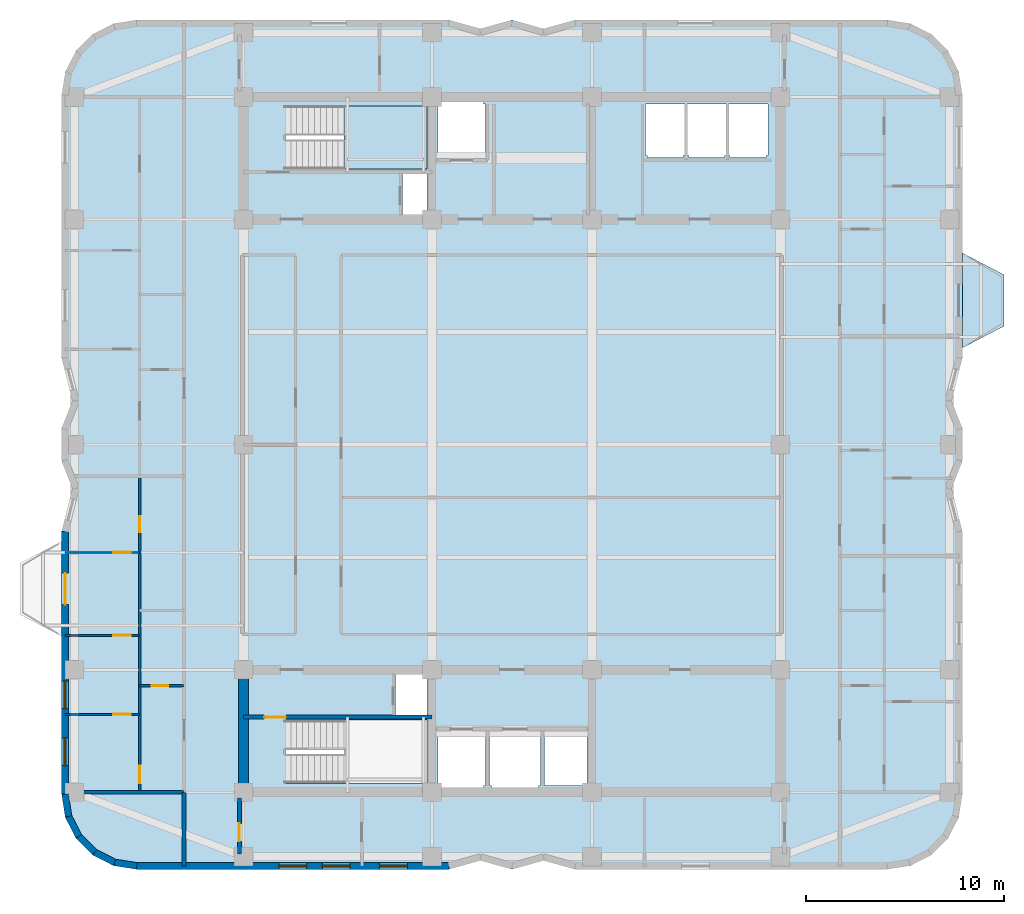
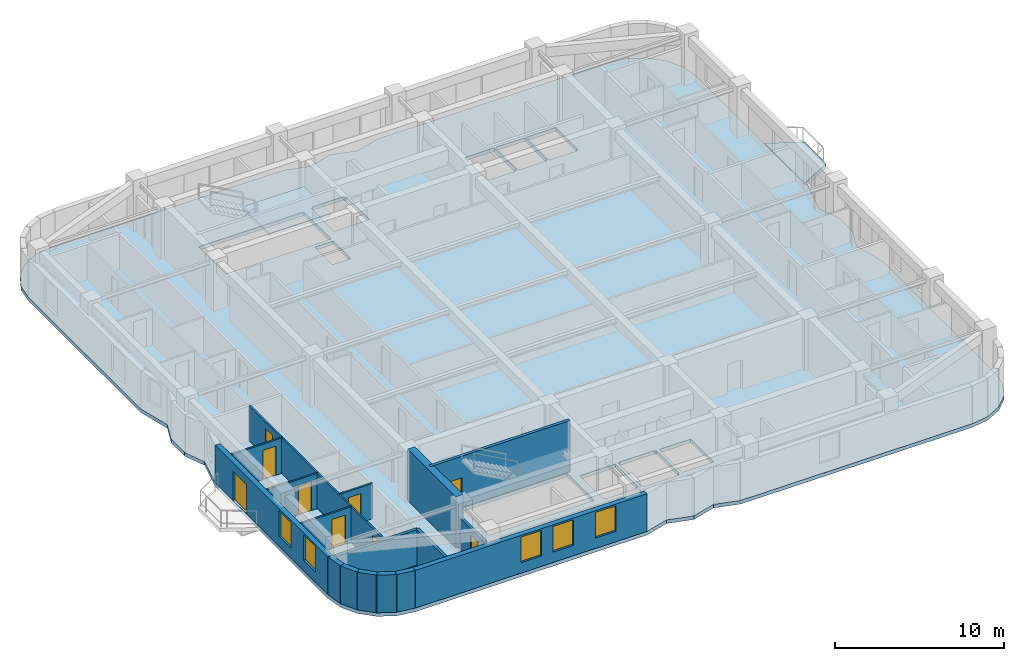
# One storey, part 2 of 8: 17 walls, 9 doors, 5 windows, 3 slabs, 14 openings, 1 element without a shape of its own.
"""IFC4 building model written with IfcOpenShell, lengths in metres."""

from ifc_helpers import new_model, si_unit, direction, frame, frame_2d, origin, place, context, subcontext, project, spatial, polyline, rectangle, outline, extrude, material, layer, layer_set, type_object, element, fill, aggregate, save


model = new_model("IFC4")

# Units and contexts
model_context = context("Model", 3, precision=1e-05, world=origin(), true_north=direction((0.0, 1.0)))
body_context = subcontext(model_context, "Body", "Model", "MODEL_VIEW")
ifc_project = project(units=[si_unit("LENGTHUNIT", "METRE"), si_unit("AREAUNIT", "SQUARE_METRE"), si_unit("VOLUMEUNIT", "CUBIC_METRE"), si_unit("PLANEANGLEUNIT", "RADIAN"), si_unit("MASSUNIT", "GRAM", prefix="KILO")], contexts=[model_context])

# Site, building, storey
site_placement = place(None, origin())
site = spatial("IfcSite", under=ifc_project, at=site_placement, CompositionType="ELEMENT")
building_placement = place(site_placement, origin())
building = spatial("IfcBuilding", under=site, at=building_placement, Name="Svetorya Sky Lyceum", CompositionType="ELEMENT")
storey_placement = place(building_placement, frame((0.0, 0.0, 151.5)))
storey = spatial("IfcBuildingStorey", under=building, at=storey_placement, Name="L37", CompositionType="ELEMENT", Elevation=151.5)

# Slab
ifc_material_1 = material(Name="Concrete C40/50", Category="concrete")
ifc_layer_1 = layer(ifc_material_1, 0.260009765625)
ifc_layer_set_1 = layer_set([ifc_layer_1], Name="Concrete C40/50")
slab_type_1 = type_object("IfcSlabType", Name="SL-BAL-260", PredefinedType="FLOOR", material=ifc_layer_set_1)
slab_1_placement = place(storey_placement, frame((0.0, 0.0, -0.260009765625)))
element("IfcSlab", 1, at=slab_1_placement, inside=storey, type_object=slab_type_1, Name="L37 Chamfered Loggia Balcony BAL-E1", PredefinedType="FLOOR", context=body_context, shape_type="SweptSolid", body=[
    extrude(outline(polyline([(62.010009765625, 33.10009765625), (64.110107421875, 34.199951171875), (64.110107421875, 36.800048828125), (62.010009765625, 37.89990234375), (62.010009765625, 33.10009765625)])), origin(), (0.0, 0.0, 1.0), 0.260009765625),
])

# Stair, slab
stair_type = type_object("IfcStairType", Name="STR-ST-N", PredefinedType="HALF_TURN_STAIR", material=ifc_material_1)
stair_placement = place(storey_placement, origin())
stair = element("IfcStair", 2, at=stair_placement, inside=storey, type_object=stair_type, Name="L37 North Core Smoke-Free Exit Stair N3", PredefinedType="HALF_TURN_STAIR")
ifc_layer_2 = layer(ifc_material_1, 0.199951171875)
ifc_layer_set_2 = layer_set([ifc_layer_2], Name="Concrete C40/50")
slab_type_2 = type_object("IfcSlabType", Name="SL-STR-LAND-200", PredefinedType="LANDING", material=ifc_layer_set_2)
slab_2_placement = place(storey_placement, frame((0.0, 0.0, 1.64990234375)))
slab_2 = element("IfcSlab", 3, at=slab_2_placement, type_object=slab_type_2, Name="ST-N landing 1", PredefinedType="LANDING", context=body_context, shape_type="SweptSolid", body=[
    extrude(outline(polyline([(30.699951171875, 42.14990234375), (34.89990234375, 42.14990234375), (34.89990234375, 45.35009765625), (30.699951171875, 45.35009765625), (30.699951171875, 42.14990234375)])), origin(), (0.0, 0.0, 1.0), 0.2001953125),
])
aggregate(stair, [slab_2])

# Slab
ifc_material_2 = material(Name="Concrete C50/60", Category="concrete")
ifc_layer_3 = layer(ifc_material_2, 0.260009765625)
ifc_layer_set_3 = layer_set([ifc_layer_3], Name="Concrete C50/60")
slab_type_3 = type_object("IfcSlabType", Name="SL-TWR-260", PredefinedType="FLOOR", material=ifc_layer_set_3)
slab_3_placement = place(storey_placement, frame((0.0, 0.0, -0.260009765625)))
element("IfcSlab", 4, at=slab_3_placement, inside=storey, type_object=slab_type_3, Name="L37 Structural Floor Slab", PredefinedType="FLOOR", context=body_context, shape_type="SweptSolid", body=[
    extrude(outline(polyline([(16.39990234375, 10.5), (16.5859375, 9.32568359375), (17.125732421875, 8.266357421875), (17.96630859375, 7.42578125), (19.025634765625, 6.885986328125), (20.199951171875, 6.699951171875), (36.0, 6.699951171875), (37.60009765625, 7.14990234375), (39.199951171875, 6.699951171875), (40.800048828125, 7.14990234375), (42.39990234375, 6.699951171875), (58.199951171875, 6.699951171875), (59.374267578125, 6.885986328125), (60.43359375, 7.42578125), (61.2744140625, 8.266357421875), (61.81396484375, 9.32568359375), (62.0, 10.5), (62.0, 23.800048828125), (61.449951171875, 26.0), (62.0, 27.39990234375), (62.0, 29.0), (61.449951171875, 30.39990234375), (62.0, 32.60009765625), (62.0, 45.89990234375), (61.81396484375, 47.07421875), (61.2744140625, 48.133544921875), (60.43359375, 48.974365234375), (59.374267578125, 49.513916015625), (58.199951171875, 49.699951171875), (42.39990234375, 49.699951171875), (40.800048828125, 49.25), (39.199951171875, 49.699951171875), (37.60009765625, 49.25), (36.0, 49.699951171875), (20.199951171875, 49.699951171875), (19.025634765625, 49.513916015625), (17.96630859375, 48.974365234375), (17.125732421875, 48.133544921875), (16.5859375, 47.07421875), (16.39990234375, 45.89990234375), (16.39990234375, 32.60009765625), (16.949951171875, 30.39990234375), (16.39990234375, 29.0), (16.39990234375, 27.39990234375), (16.949951171875, 26.0), (16.39990234375, 23.800048828125), (16.39990234375, 10.5)]), holes=[polyline([(37.85009765625, 10.949951171875), (37.75, 10.949951171875), (37.75, 10.85009765625), (35.550048828125, 10.85009765625), (35.550048828125, 10.949951171875), (35.449951171875, 10.949951171875), (35.449951171875, 13.64990234375), (35.550048828125, 13.64990234375), (37.75, 13.64990234375), (37.85009765625, 13.64990234375), (37.85009765625, 10.949951171875)]), polyline([(38.14990234375, 10.800048828125), (38.14990234375, 10.949951171875), (38.050048828125, 10.949951171875), (38.050048828125, 13.64990234375), (38.14990234375, 13.64990234375), (38.14990234375, 13.699951171875), (40.550048828125, 13.699951171875), (40.550048828125, 13.64990234375), (40.64990234375, 13.64990234375), (40.64990234375, 10.949951171875), (40.550048828125, 10.949951171875), (40.550048828125, 10.800048828125), (38.14990234375, 10.800048828125)]), polyline([(27.719970703125, 11.050048828125), (27.719970703125, 14.25), (34.89990234375, 14.25), (34.89990234375, 11.050048828125), (27.719970703125, 11.050048828125)]), polyline([(33.300048828125, 14.52001953125), (33.300048828125, 16.580078125), (34.89990234375, 16.580078125), (34.89990234375, 14.52001953125), (33.300048828125, 14.52001953125)]), polyline([(33.64990234375, 39.820068359375), (33.64990234375, 41.89990234375), (34.89990234375, 41.89990234375), (34.89990234375, 39.820068359375), (33.64990234375, 39.820068359375)]), polyline([(27.719970703125, 42.14990234375), (27.719970703125, 45.35009765625), (34.89990234375, 45.35009765625), (34.89990234375, 42.14990234375), (27.719970703125, 42.14990234375)]), polyline([(37.75, 42.75), (35.550048828125, 42.75), (35.449951171875, 42.75), (35.449951171875, 45.449951171875), (35.550048828125, 45.449951171875), (35.550048828125, 45.550048828125), (37.75, 45.550048828125), (37.75, 45.449951171875), (37.85009765625, 45.449951171875), (37.85009765625, 42.75), (37.75, 42.75)]), polyline([(40.85009765625, 10.949951171875), (40.85009765625, 13.64990234375), (43.0, 13.64990234375), (43.0, 10.949951171875), (40.85009765625, 10.949951171875)]), polyline([(46.050048828125, 42.75), (46.050048828125, 42.85009765625), (45.949951171875, 42.85009765625), (45.949951171875, 45.449951171875), (46.050048828125, 45.449951171875), (47.85009765625, 45.449951171875), (47.949951171875, 45.449951171875), (47.949951171875, 42.85009765625), (47.85009765625, 42.85009765625), (47.85009765625, 42.75), (46.050048828125, 42.75)]), polyline([(50.050048828125, 42.85009765625), (49.949951171875, 42.85009765625), (49.949951171875, 42.75), (48.14990234375, 42.75), (48.14990234375, 42.85009765625), (48.050048828125, 42.85009765625), (48.050048828125, 45.449951171875), (48.14990234375, 45.449951171875), (49.949951171875, 45.449951171875), (50.050048828125, 45.449951171875), (50.050048828125, 42.85009765625)]), polyline([(52.14990234375, 42.85009765625), (52.050048828125, 42.85009765625), (52.050048828125, 42.75), (50.25, 42.75), (50.25, 42.85009765625), (50.14990234375, 42.85009765625), (50.14990234375, 45.449951171875), (50.25, 45.449951171875), (52.050048828125, 45.449951171875), (52.14990234375, 45.449951171875), (52.14990234375, 42.85009765625)])]), origin(), (0.0, 0.0, 1.0), 0.260009765625),
])

# Walls
ifc_layer_4 = layer(ifc_material_2, 0.5)
ifc_layer_set_4 = layer_set([ifc_layer_4], Name="Concrete C50/60")
wall_type_1 = type_object("IfcWallType", Name="WL-CORE-500", PredefinedType="SHEAR", material=ifc_layer_set_4)
wall_1_placement = place(storey_placement, frame((25.60009765625, 10.85009765625, 0.0), z_axis=(0.0, 0.0, 1.0), x_axis=(0.0, 1.0, 0.0)))
element("IfcWall", 5, at=wall_1_placement, inside=storey, type_object=wall_type_1, Name="L37 SC West Core Shear Wall", PredefinedType="SHEAR", context=body_context, shape_type="SweptSolid", body=[
    extrude(rectangle(XDim=5.699951171875, YDim=0.5, at=frame_2d((2.85009765625, 0.0))), origin(), (0.0, 0.0, 1.0), 3.699951171875),
])
ifc_material_3 = material(Name="Putilovo limestone rainscreen on autoclaved cellular masonry", Category="masonry")
ifc_layer_5 = layer(ifc_material_3, 0.340087890625)
ifc_layer_set_5 = layer_set([ifc_layer_5], Name="Putilovo limestone rainscreen on autoclaved cellular masonry")
wall_type_2 = type_object("IfcWallType", Name="WL-EXT-340", PredefinedType="SOLIDWALL", material=ifc_layer_set_5)
wall_2_placement = place(storey_placement, frame((16.570068359375, 10.5, 0.0), z_axis=(0.0, 0.0, 1.0), x_axis=(0.156514556949, -0.987675651954, 0.0)))
element("IfcWall", 6, at=wall_2_placement, inside=storey, type_object=wall_type_2, Name="L37 Limestone Exterior Wall 1M", PredefinedType="SOLIDWALL", context=body_context, shape_type="SweptSolid", body=[
    extrude(rectangle(XDim=1.135498046875, YDim=0.340087890625, at=frame_2d((0.56787109375, 0.0))), origin(), (0.0, 0.0, 1.0), 2.719970703125),
])
for number, where, z_axis, x_axis, name in (
    (7, (16.747802734375, 9.37841796875, 0.0), (0.0, 0.0, 1.0), (0.45373580117, -0.891136253744, 0.0), "L37 Limestone Exterior Wall 2M"),
    (8, (17.26318359375, 8.3662109375, 0.0), (0.0, 0.0, 1.0), (0.707214252388, -0.706999293649, 0.0), "L37 Limestone Exterior Wall 3M"),
    (9, (18.06640625, 7.563232421875, 0.0), (0.0, 0.0, 1.0), (0.891005044957, -0.453993402883, 0.0), "L37 Limestone Exterior Wall 4M"),
):
    element("IfcWall", number, at=place(storey_placement, frame(where, z_axis=z_axis, x_axis=x_axis)), inside=storey, type_object=wall_type_2, Name=name, PredefinedType="SOLIDWALL", context=body_context, shape_type="SweptSolid", body=[
        extrude(rectangle(XDim=1.1357421875, YDim=0.340087890625, at=frame_2d((0.56787109375, 0.0))), origin(), (0.0, 0.0, 1.0), 2.719970703125),
    ])
wall_3_placement = place(storey_placement, frame((19.078369140625, 7.047607421875, 0.0), z_axis=(0.0, 0.0, 1.0), x_axis=(0.987708865555, -0.156304820474, 0.0)))
element("IfcWall", 10, at=wall_3_placement, inside=storey, type_object=wall_type_2, Name="L37 Limestone Exterior Wall 5M", PredefinedType="SOLIDWALL", context=body_context, shape_type="SweptSolid", body=[
    extrude(rectangle(XDim=1.135498046875, YDim=0.340087890625, at=frame_2d((0.56787109375, 0.0))), origin(), (0.0, 0.0, 1.0), 2.719970703125),
])

# Wall, openings, windows
wall_4_placement = place(storey_placement, frame((20.199951171875, 6.8701171875, 0.0), z_axis=(0.0, 0.0, 1.0), x_axis=(1.0, 0.0, 0.0)))
wall_4 = element("IfcWall", 11, at=wall_4_placement, inside=storey, type_object=wall_type_2, Name="L37 Limestone Exterior Wall 6M", PredefinedType="SOLIDWALL", context=body_context, shape_type="SweptSolid", body=[
    extrude(rectangle(XDim=15.800048828125, YDim=0.340087890625, at=frame_2d((7.89990234375, 0.0))), origin(), (0.0, 0.0, 1.0), 2.719970703125),
])
opening_1_placement = place(wall_4_placement, frame((7.199951171875, 0.0, 0.75)))
opening_1 = element("IfcOpeningElement", 12, at=opening_1_placement, cuts=wall_4, Name="Opening W-R2", PredefinedType="OPENING", context=body_context, shape_type="SweptSolid", body=[
    extrude(rectangle(XDim=1.39990234375, YDim=1.85009765625, at=frame_2d((0.699951171875, 0.925048828125))), frame((0.0, 0.179931640625, 0.0), z_axis=(0.0, -1.0, 0.0), x_axis=(1.0, 0.0, 0.0)), (0.0, 0.0, 1.0), 0.360107421875),
])
opening_2_placement = place(wall_4_placement, frame((9.39990234375, 0.0, 0.75)))
opening_2 = element("IfcOpeningElement", 13, at=opening_2_placement, cuts=wall_4, Name="Opening W-R2", PredefinedType="OPENING", context=body_context, shape_type="SweptSolid", body=[
    extrude(rectangle(XDim=1.39990234375, YDim=1.85009765625, at=frame_2d((0.699951171875, 0.925048828125))), frame((0.0, 0.179931640625, 0.0), z_axis=(0.0, -1.0, 0.0), x_axis=(1.0, 0.0, 0.0)), (0.0, 0.0, 1.0), 0.360107421875),
])
opening_3_placement = place(wall_4_placement, frame((12.300048828125, 0.0, 0.75)))
opening_3 = element("IfcOpeningElement", 14, at=opening_3_placement, cuts=wall_4, Name="Opening W-R2", PredefinedType="OPENING", context=body_context, shape_type="SweptSolid", body=[
    extrude(rectangle(XDim=1.39990234375, YDim=1.85009765625, at=frame_2d((0.699951171875, 0.925048828125))), frame((0.0, 0.179931640625, 0.0), z_axis=(0.0, -1.0, 0.0), x_axis=(1.0, 0.0, 0.0)), (0.0, 0.0, 1.0), 0.360107421875),
])
ifc_material_4 = material(Name="Thermally broken aluminium frame with triple low-E glazing", Category="aluminium")
window_type = type_object("IfcWindowType", Name="WN-RES-140", PartitioningType="SINGLE_PANEL", PredefinedType="WINDOW", material=ifc_material_4)
window_1_placement = place(opening_1_placement, origin())
window_1 = element("IfcWindow", 15, at=window_1_placement, inside=storey, type_object=window_type, Name="L37 Facade Window W-R2.6M.1", OverallHeight=1.85009765625, OverallWidth=1.39990234375, PartitioningType="SINGLE_PANEL", PredefinedType="WINDOW", context=body_context, shape_type="SweptSolid", body=[
    extrude(rectangle(XDim=1.39990234375, YDim=1.85009765625, at=frame_2d((0.699951171875, 0.925048828125))), frame((0.0, 0.030029296875, 0.0), z_axis=(0.0, -1.0, 0.0), x_axis=(1.0, 0.0, 0.0)), (0.0, 0.0, 1.0), 0.06005859375),
])
fill(opening_1, window_1)
window_2_placement = place(opening_2_placement, origin())
window_2 = element("IfcWindow", 16, at=window_2_placement, inside=storey, type_object=window_type, Name="L37 Facade Window W-R2.6M.2", OverallHeight=1.85009765625, OverallWidth=1.39990234375, PartitioningType="SINGLE_PANEL", PredefinedType="WINDOW", context=body_context, shape_type="SweptSolid", body=[
    extrude(rectangle(XDim=1.39990234375, YDim=1.85009765625, at=frame_2d((0.699951171875, 0.925048828125))), frame((0.0, 0.030029296875, 0.0), z_axis=(0.0, -1.0, 0.0), x_axis=(1.0, 0.0, 0.0)), (0.0, 0.0, 1.0), 0.06005859375),
])
fill(opening_2, window_2)
window_3_placement = place(opening_3_placement, origin())
window_3 = element("IfcWindow", 17, at=window_3_placement, inside=storey, type_object=window_type, Name="L37 Facade Window W-R2.6M.3", OverallHeight=1.85009765625, OverallWidth=1.39990234375, PartitioningType="SINGLE_PANEL", PredefinedType="WINDOW", context=body_context, shape_type="SweptSolid", body=[
    extrude(rectangle(XDim=1.39990234375, YDim=1.85009765625, at=frame_2d((0.699951171875, 0.925048828125))), frame((0.0, 0.030029296875, 0.0), z_axis=(0.0, -1.0, 0.0), x_axis=(1.0, 0.0, 0.0)), (0.0, 0.0, 1.0), 0.06005859375),
])
fill(opening_3, window_3)

# Wall, openings, door, windows
wall_5_placement = place(storey_placement, frame((16.570068359375, 23.800048828125, 0.0), z_axis=(0.0, 0.0, 1.0), x_axis=(0.0, -1.0, 0.0)))
wall_5 = element("IfcWall", 18, at=wall_5_placement, inside=storey, type_object=wall_type_2, Name="L37 Limestone Exterior Wall 46M", PredefinedType="SOLIDWALL", context=body_context, shape_type="SweptSolid", body=[
    extrude(rectangle(XDim=13.300048828125, YDim=0.340087890625, at=frame_2d((6.64990234375, 0.0))), origin(), (0.0, 0.0, 1.0), 2.719970703125),
])
opening_4_placement = place(wall_5_placement, frame((2.10009765625, 0.0, 0.0)))
opening_4 = element("IfcOpeningElement", 19, at=opening_4_placement, cuts=wall_5, Name="Opening D-BL1", PredefinedType="OPENING", context=body_context, shape_type="SweptSolid", body=[
    extrude(rectangle(XDim=1.60009765625, YDim=2.10009765625, at=frame_2d((0.800048828125, 1.050048828125))), frame((0.0, 0.179931640625, 0.0), z_axis=(0.0, -1.0, 0.0), x_axis=(1.0, 0.0, 0.0)), (0.0, 0.0, 1.0), 0.360107421875),
])
opening_5_placement = place(wall_5_placement, frame((7.56005859375, 0.0, 0.7099609375)))
opening_5 = element("IfcOpeningElement", 20, at=opening_5_placement, cuts=wall_5, Name="Opening W-R2", PredefinedType="OPENING", context=body_context, shape_type="SweptSolid", body=[
    extrude(rectangle(XDim=1.39990234375, YDim=1.85009765625, at=frame_2d((0.699951171875, 0.925048828125))), frame((0.0, 0.179931640625, 0.0), z_axis=(0.0, -1.0, 0.0), x_axis=(1.0, 0.0, 0.0)), (0.0, 0.0, 1.0), 0.360107421875),
])
opening_6_placement = place(wall_5_placement, frame((10.449951171875, 0.0, 0.75)))
opening_6 = element("IfcOpeningElement", 21, at=opening_6_placement, cuts=wall_5, Name="Opening W-R2", PredefinedType="OPENING", context=body_context, shape_type="SweptSolid", body=[
    extrude(rectangle(XDim=1.39990234375, YDim=1.85009765625, at=frame_2d((0.699951171875, 0.925048828125))), frame((0.0, 0.179931640625, 0.0), z_axis=(0.0, -1.0, 0.0), x_axis=(1.0, 0.0, 0.0)), (0.0, 0.0, 1.0), 0.360107421875),
])
ifc_material_5 = material(Name="Insulated glazed aluminium balcony door", Category="aluminium")
door_type_1 = type_object("IfcDoorType", Name="DR-BAL-1600", OperationType="DOUBLE_DOOR_SINGLE_SWING", PredefinedType="DOOR", material=ifc_material_5)
door_1_placement = place(opening_4_placement, origin())
door_1 = element("IfcDoor", 22, at=door_1_placement, inside=storey, type_object=door_type_1, Name="L37 Balcony BAL-W1 Door", OperationType="DOUBLE_DOOR_SINGLE_SWING", OverallHeight=2.10009765625, OverallWidth=1.60009765625, PredefinedType="DOOR", context=body_context, shape_type="SweptSolid", body=[
    extrude(rectangle(XDim=1.60009765625, YDim=2.10009765625, at=frame_2d((0.800048828125, 1.050048828125))), frame((0.0, 0.02490234375, 0.0), z_axis=(0.0, -1.0, 0.0), x_axis=(1.0, 0.0, 0.0)), (0.0, 0.0, 1.0), 0.050048828125),
])
fill(opening_4, door_1)
window_4_placement = place(opening_5_placement, origin())
window_4 = element("IfcWindow", 23, at=window_4_placement, inside=storey, type_object=window_type, Name="L37 Facade Window W-R2.46M.2", OverallHeight=1.85009765625, OverallWidth=1.39990234375, PartitioningType="SINGLE_PANEL", PredefinedType="WINDOW", context=body_context, shape_type="SweptSolid", body=[
    extrude(rectangle(XDim=1.39990234375, YDim=1.85009765625, at=frame_2d((0.699951171875, 0.925048828125))), frame((0.0, 0.030029296875, 0.0), z_axis=(0.0, -1.0, 0.0), x_axis=(1.0, 0.0, 0.0)), (0.0, 0.0, 1.0), 0.06005859375),
])
fill(opening_5, window_4)
window_5_placement = place(opening_6_placement, origin())
window_5 = element("IfcWindow", 24, at=window_5_placement, inside=storey, type_object=window_type, Name="L37 Facade Window W-R2.46M.1", OverallHeight=1.85009765625, OverallWidth=1.39990234375, PartitioningType="SINGLE_PANEL", PredefinedType="WINDOW", context=body_context, shape_type="SweptSolid", body=[
    extrude(rectangle(XDim=1.39990234375, YDim=1.85009765625, at=frame_2d((0.699951171875, 0.925048828125))), frame((0.0, 0.030029296875, 0.0), z_axis=(0.0, -1.0, 0.0), x_axis=(1.0, 0.0, 0.0)), (0.0, 0.0, 1.0), 0.06005859375),
])
fill(opening_6, window_5)

# Wall, opening, door
ifc_material_6 = material(Name="Twin-stud galvanized framing with double fireboard", Category="gypsum")
ifc_layer_6 = layer(ifc_material_6, 0.1201171875)
ifc_layer_set_6 = layer_set([ifc_layer_6], Name="Twin-stud galvanized framing with double fireboard")
wall_type_3 = type_object("IfcWallType", Name="WL-PART-120", PredefinedType="PARTITIONING", material=ifc_layer_set_6)
wall_6_placement = place(storey_placement, frame((20.35009765625, 16.0, 0.0), z_axis=(0.0, 0.0, 1.0), x_axis=(1.0, 0.0, 0.0)))
wall_6 = element("IfcWall", 25, at=wall_6_placement, inside=storey, type_object=wall_type_3, Name="L37 Interior Partition W1-WH1", PredefinedType="PARTITIONING", context=body_context, shape_type="SweptSolid", body=[
    extrude(rectangle(XDim=2.25, YDim=0.1201171875, at=frame_2d((1.125, 0.0))), origin(), (0.0, 0.0, 1.0), 2.550048828125),
])
opening_7_placement = place(wall_6_placement, frame((0.60009765625, 0.0, 0.0)))
opening_7 = element("IfcOpeningElement", 26, at=opening_7_placement, cuts=wall_6, Name="Opening D-BT1", PredefinedType="OPENING", context=body_context, shape_type="SweptSolid", body=[
    extrude(rectangle(XDim=0.85009765625, YDim=2.10009765625, at=frame_2d((0.425048828125, 1.050048828125))), frame((0.0, 0.070068359375, 0.0), z_axis=(0.0, -1.0, 0.0), x_axis=(1.0, 0.0, 0.0)), (0.0, 0.0, 1.0), 0.14013671875),
])
ifc_material_7 = material(Name="Moisture-resistant laminate bathroom door")
door_type_2 = type_object("IfcDoorType", Name="DR-WET-850", OperationType="SINGLE_SWING_LEFT", PredefinedType="DOOR", material=ifc_material_7)
door_2_placement = place(opening_7_placement, origin())
door_2 = element("IfcDoor", 27, at=door_2_placement, inside=storey, type_object=door_type_2, Name="Apartment W1 Bathroom Door", OperationType="SINGLE_SWING_LEFT", OverallHeight=2.10009765625, OverallWidth=0.85009765625, PredefinedType="DOOR", context=body_context, shape_type="SweptSolid", body=[
    extrude(rectangle(XDim=0.85009765625, YDim=2.10009765625, at=frame_2d((0.425048828125, 1.050048828125))), frame((0.0, 0.02490234375, 0.0), z_axis=(0.0, -1.0, 0.0), x_axis=(1.0, 0.0, 0.0)), (0.0, 0.0, 1.0), 0.050048828125),
])
fill(opening_7, door_2)

wall_7_placement = place(storey_placement, frame((16.570068359375, 14.5400390625, 0.0), z_axis=(0.0, 0.0, 1.0), x_axis=(1.0, 0.0, 0.0)))
wall_7 = element("IfcWall", 28, at=wall_7_placement, inside=storey, type_object=wall_type_3, Name="L37 Interior Partition W1-WL1", PredefinedType="PARTITIONING", context=body_context, shape_type="SweptSolid", body=[
    extrude(rectangle(XDim=3.780029296875, YDim=0.1201171875, at=frame_2d((1.89013671875, 0.0))), origin(), (0.0, 0.0, 1.0), 2.550048828125),
])
opening_8_placement = place(wall_7_placement, frame((2.429931640625, 0.0, 0.0)))
opening_8 = element("IfcOpeningElement", 29, at=opening_8_placement, cuts=wall_7, Name="Opening D-RM1", PredefinedType="OPENING", context=body_context, shape_type="SweptSolid", body=[
    extrude(rectangle(XDim=0.89990234375, YDim=2.10009765625, at=frame_2d((0.449951171875, 1.050048828125))), frame((0.0, 0.070068359375, 0.0), z_axis=(0.0, -1.0, 0.0), x_axis=(1.0, 0.0, 0.0)), (0.0, 0.0, 1.0), 0.14013671875),
])
ifc_material_8 = material(Name="Lacquered birch veneer internal door")
door_type_3 = type_object("IfcDoorType", Name="DR-INT-900", OperationType="SINGLE_SWING_LEFT", PredefinedType="DOOR", material=ifc_material_8)
door_3_placement = place(opening_8_placement, origin())
door_3 = element("IfcDoor", 30, at=door_3_placement, inside=storey, type_object=door_type_3, Name="Apartment W1 Master Bedroom Door", OperationType="SINGLE_SWING_LEFT", OverallHeight=2.10009765625, OverallWidth=0.89990234375, PredefinedType="DOOR", context=body_context, shape_type="SweptSolid", body=[
    extrude(rectangle(XDim=0.89990234375, YDim=2.10009765625, at=frame_2d((0.449951171875, 1.050048828125))), frame((0.0, 0.02490234375, 0.0), z_axis=(0.0, -1.0, 0.0), x_axis=(1.0, 0.0, 0.0)), (0.0, 0.0, 1.0), 0.050048828125),
])
fill(opening_8, door_3)

wall_8_placement = place(storey_placement, frame((16.570068359375, 18.5400390625, 0.0), z_axis=(0.0, 0.0, 1.0), x_axis=(1.0, 0.0, 0.0)))
wall_8 = element("IfcWall", 31, at=wall_8_placement, inside=storey, type_object=wall_type_3, Name="L37 Interior Partition W1-WL2", PredefinedType="PARTITIONING", context=body_context, shape_type="SweptSolid", body=[
    extrude(rectangle(XDim=3.780029296875, YDim=0.1201171875, at=frame_2d((1.89013671875, 0.0))), origin(), (0.0, 0.0, 1.0), 2.550048828125),
])
opening_9_placement = place(wall_8_placement, frame((2.429931640625, 0.0, 0.0)))
opening_9 = element("IfcOpeningElement", 32, at=opening_9_placement, cuts=wall_8, Name="Opening D-RM1", PredefinedType="OPENING", context=body_context, shape_type="SweptSolid", body=[
    extrude(rectangle(XDim=0.89990234375, YDim=2.10009765625, at=frame_2d((0.449951171875, 1.050048828125))), frame((0.0, 0.070068359375, 0.0), z_axis=(0.0, -1.0, 0.0), x_axis=(1.0, 0.0, 0.0)), (0.0, 0.0, 1.0), 0.14013671875),
])
door_4_placement = place(opening_9_placement, origin())
door_4 = element("IfcDoor", 33, at=door_4_placement, inside=storey, type_object=door_type_3, Name="Apartment W1 Bedroom 2 Door", OperationType="SINGLE_SWING_RIGHT", OverallHeight=2.10009765625, OverallWidth=0.89990234375, PredefinedType="DOOR", context=body_context, shape_type="SweptSolid", body=[
    extrude(rectangle(XDim=0.89990234375, YDim=2.10009765625, at=frame_2d((0.449951171875, 1.050048828125))), frame((0.0, 0.02490234375, 0.0), z_axis=(0.0, -1.0, 0.0), x_axis=(1.0, 0.0, 0.0)), (0.0, 0.0, 1.0), 0.050048828125),
])
fill(opening_9, door_4)

wall_9_placement = place(storey_placement, frame((16.570068359375, 22.739990234375, 0.0), z_axis=(0.0, 0.0, 1.0), x_axis=(1.0, 0.0, 0.0)))
wall_9 = element("IfcWall", 34, at=wall_9_placement, inside=storey, type_object=wall_type_3, Name="L37 Interior Partition W1-WL3", PredefinedType="PARTITIONING", context=body_context, shape_type="SweptSolid", body=[
    extrude(rectangle(XDim=3.780029296875, YDim=0.1201171875, at=frame_2d((1.89013671875, 0.0))), origin(), (0.0, 0.0, 1.0), 2.550048828125),
])
opening_10_placement = place(wall_9_placement, frame((2.429931640625, 0.0, 0.0)))
opening_10 = element("IfcOpeningElement", 35, at=opening_10_placement, cuts=wall_9, Name="Opening D-RM1", PredefinedType="OPENING", context=body_context, shape_type="SweptSolid", body=[
    extrude(rectangle(XDim=0.89990234375, YDim=2.10009765625, at=frame_2d((0.449951171875, 1.050048828125))), frame((0.0, 0.070068359375, 0.0), z_axis=(0.0, -1.0, 0.0), x_axis=(1.0, 0.0, 0.0)), (0.0, 0.0, 1.0), 0.14013671875),
])
door_5_placement = place(opening_10_placement, origin())
door_5 = element("IfcDoor", 36, at=door_5_placement, inside=storey, type_object=door_type_3, Name="Apartment W1 Bedroom 3 Door", OperationType="SINGLE_SWING_LEFT", OverallHeight=2.10009765625, OverallWidth=0.89990234375, PredefinedType="DOOR", context=body_context, shape_type="SweptSolid", body=[
    extrude(rectangle(XDim=0.89990234375, YDim=2.10009765625, at=frame_2d((0.449951171875, 1.050048828125))), frame((0.0, 0.02490234375, 0.0), z_axis=(0.0, -1.0, 0.0), x_axis=(1.0, 0.0, 0.0)), (0.0, 0.0, 1.0), 0.050048828125),
])
fill(opening_10, door_5)

# Wall, openings, doors
wall_10_placement = place(storey_placement, frame((20.35009765625, 10.639892578125, 0.0), z_axis=(0.0, 0.0, 1.0), x_axis=(0.0, 1.0, 0.0)))
wall_10 = element("IfcWall", 37, at=wall_10_placement, inside=storey, type_object=wall_type_3, Name="L37 Interior Partition W1-WV", PredefinedType="PARTITIONING", context=body_context, shape_type="SweptSolid", body=[
    extrude(rectangle(XDim=15.920166015625, YDim=0.1201171875, at=frame_2d((7.9599609375, 0.0))), origin(), (0.0, 0.0, 1.0), 2.550048828125),
])
opening_11_placement = place(wall_10_placement, frame((0.409912109375, 0.0, 0.0)))
opening_11 = element("IfcOpeningElement", 38, at=opening_11_placement, cuts=wall_10, Name="Opening D-RM1", PredefinedType="OPENING", context=body_context, shape_type="SweptSolid", body=[
    extrude(rectangle(XDim=0.89990234375, YDim=2.10009765625, at=frame_2d((0.449951171875, 1.050048828125))), frame((0.0, 0.070068359375, 0.0), z_axis=(0.0, -1.0, 0.0), x_axis=(1.0, 0.0, 0.0)), (0.0, 0.0, 1.0), 0.14013671875),
])
opening_12_placement = place(wall_10_placement, frame((13.125, 0.0, 0.0)))
opening_12 = element("IfcOpeningElement", 39, at=opening_12_placement, cuts=wall_10, Name="Opening D-BT2", PredefinedType="OPENING", context=body_context, shape_type="SweptSolid", body=[
    extrude(rectangle(XDim=0.820068359375, YDim=2.080078125, at=frame_2d((0.41015625, 1.0400390625))), frame((0.0, 0.070068359375, 0.0), z_axis=(0.0, -1.0, 0.0), x_axis=(1.0, 0.0, 0.0)), (0.0, 0.0, 1.0), 0.14013671875),
])
door_6_placement = place(opening_11_placement, origin())
door_6 = element("IfcDoor", 40, at=door_6_placement, inside=storey, type_object=door_type_3, Name="Apartment W1 Living Door", OperationType="SINGLE_SWING_RIGHT", OverallHeight=2.10009765625, OverallWidth=0.89990234375, PredefinedType="DOOR", context=body_context, shape_type="SweptSolid", body=[
    extrude(rectangle(XDim=0.89990234375, YDim=2.10009765625, at=frame_2d((0.449951171875, 1.050048828125))), frame((0.0, 0.02490234375, 0.0), z_axis=(0.0, -1.0, 0.0), x_axis=(1.0, 0.0, 0.0)), (0.0, 0.0, 1.0), 0.050048828125),
])
fill(opening_11, door_6)
ifc_material_9 = material(Name="Compact moisture-resistant laminate closet door")
door_type_4 = type_object("IfcDoorType", Name="DR-WET-820", OperationType="SINGLE_SWING_LEFT", PredefinedType="DOOR", material=ifc_material_9)
door_7_placement = place(opening_12_placement, origin())
door_7 = element("IfcDoor", 41, at=door_7_placement, inside=storey, type_object=door_type_4, Name="Apartment W1 Study Door", OperationType="SINGLE_SWING_LEFT", OverallHeight=2.080078125, OverallWidth=0.820068359375, PredefinedType="DOOR", context=body_context, shape_type="SweptSolid", body=[
    extrude(rectangle(XDim=0.820068359375, YDim=2.080078125, at=frame_2d((0.41015625, 1.0400390625))), frame((0.0, 0.02490234375, 0.0), z_axis=(0.0, -1.0, 0.0), x_axis=(1.0, 0.0, 0.0)), (0.0, 0.0, 1.0), 0.050048828125),
])
fill(opening_12, door_7)

# Walls
ifc_material_10 = material(Name="Autoclaved cellular masonry blockwork with gypsum plaster", Category="masonry")
ifc_layer_7 = layer(ifc_material_10, 0.199951171875)
ifc_layer_set_7 = layer_set([ifc_layer_7], Name="Autoclaved cellular masonry blockwork with gypsum plaster")
wall_type_4 = type_object("IfcWallType", Name="WL-PART-200", PredefinedType="PARTITIONING", material=ifc_layer_set_7)
wall_11_placement = place(storey_placement, frame((16.989990234375, 10.60009765625, 0.0), z_axis=(0.0, 0.0, 1.0), x_axis=(1.0, 0.0, 0.0)))
element("IfcWall", 42, at=wall_11_placement, inside=storey, type_object=wall_type_4, Name="L37 Interior Partition W-CAP-S", PredefinedType="PARTITIONING", context=body_context, shape_type="SweptSolid", body=[
    extrude(rectangle(XDim=5.610107421875, YDim=0.199951171875, at=frame_2d((2.80517578125, 0.0))), origin(), (0.0, 0.0, 1.0), 2.550048828125),
])
wall_12_placement = place(storey_placement, frame((22.60009765625, 6.8701171875, 0.0), z_axis=(0.0, 0.0, 1.0), x_axis=(0.0, 1.0, 0.0)))
element("IfcWall", 43, at=wall_12_placement, inside=storey, type_object=wall_type_4, Name="L37 Interior Partition WC-SW-END", PredefinedType="PARTITIONING", context=body_context, shape_type="SweptSolid", body=[
    extrude(rectangle(XDim=3.72998046875, YDim=0.199951171875, at=frame_2d((1.864990234375, 0.0))), origin(), (0.0, 0.0, 1.0), 2.550048828125),
])

# Wall, opening, door
wall_13_placement = place(storey_placement, frame((25.39990234375, 7.469970703125, 0.0), z_axis=(0.0, 0.0, 1.0), x_axis=(0.0, 1.0, 0.0)))
wall_13 = element("IfcWall", 44, at=wall_13_placement, inside=storey, type_object=wall_type_4, Name="L37 Interior Partition S-EW", PredefinedType="PARTITIONING", context=body_context, shape_type="SweptSolid", body=[
    extrude(rectangle(XDim=2.830078125, YDim=0.199951171875, at=frame_2d((1.4150390625, 0.0))), origin(), (0.0, 0.0, 1.0), 2.550048828125),
])
opening_13_placement = place(wall_13_placement, frame((0.64990234375, 0.0, 0.0)))
opening_13 = element("IfcOpeningElement", 45, at=opening_13_placement, cuts=wall_13, Name="Opening D-RM1", PredefinedType="OPENING", context=body_context, shape_type="SweptSolid", body=[
    extrude(rectangle(XDim=0.89990234375, YDim=2.10009765625, at=frame_2d((0.449951171875, 1.050048828125))), frame((0.0, 0.10986328125, 0.0), z_axis=(0.0, -1.0, 0.0), x_axis=(1.0, 0.0, 0.0)), (0.0, 0.0, 1.0), 0.219970703125),
])
door_8_placement = place(opening_13_placement, origin())
door_8 = element("IfcDoor", 46, at=door_8_placement, inside=storey, type_object=door_type_3, Name="L37 South Study Door", OperationType="SINGLE_SWING_LEFT", OverallHeight=2.10009765625, OverallWidth=0.89990234375, PredefinedType="DOOR", context=body_context, shape_type="SweptSolid", body=[
    extrude(rectangle(XDim=0.89990234375, YDim=2.10009765625, at=frame_2d((0.449951171875, 1.050048828125))), frame((0.0, 0.02490234375, 0.0), z_axis=(0.0, -1.0, 0.0), x_axis=(1.0, 0.0, 0.0)), (0.0, 0.0, 1.0), 0.050048828125),
])
fill(opening_13, door_8)

ifc_layer_8 = layer(ifc_material_2, 0.199951171875)
ifc_layer_set_8 = layer_set([ifc_layer_8], Name="Concrete C50/60")
wall_type_5 = type_object("IfcWallType", Name="WL-SHW-200", PredefinedType="SHEAR", material=ifc_layer_set_8)
wall_14_placement = place(storey_placement, frame((25.60009765625, 14.39990234375, 0.0), z_axis=(0.0, 0.0, 1.0), x_axis=(1.0, 0.0, 0.0)))
wall_14 = element("IfcWall", 47, at=wall_14_placement, inside=storey, type_object=wall_type_5, Name="L37 Structural Stair Shaft Wall SC-STW", PredefinedType="SHEAR", context=body_context, shape_type="SweptSolid", body=[
    extrude(rectangle(XDim=9.5498046875, YDim=0.199951171875, at=frame_2d((4.77490234375, 0.0))), origin(), (0.0, 0.0, 1.0), 3.699951171875),
])
opening_14_placement = place(wall_14_placement, frame((1.050048828125, 0.0, 0.0)))
opening_14 = element("IfcOpeningElement", 48, at=opening_14_placement, cuts=wall_14, Name="Opening D-ST1", PredefinedType="OPENING", context=body_context, shape_type="SweptSolid", body=[
    extrude(rectangle(XDim=1.10009765625, YDim=2.14990234375, at=frame_2d((0.550048828125, 1.074951171875))), frame((0.0, 0.10986328125, 0.0), z_axis=(0.0, -1.0, 0.0), x_axis=(1.0, 0.0, 0.0)), (0.0, 0.0, 1.0), 0.219970703125),
])
ifc_material_11 = material(Name="Powder-coated insulated galvanized stair fire door")
door_type_5 = type_object("IfcDoorType", Name="DR-FIRE-1100", OperationType="SINGLE_SWING_LEFT", PredefinedType="DOOR", material=ifc_material_11)
door_9_placement = place(opening_14_placement, origin())
door_9 = element("IfcDoor", 49, at=door_9_placement, inside=storey, type_object=door_type_5, Name="L37 Stair ST-S Vestibule Fire Door", OperationType="SINGLE_SWING_LEFT", OverallHeight=2.14990234375, OverallWidth=1.10009765625, PredefinedType="DOOR", context=body_context, shape_type="SweptSolid", body=[
    extrude(rectangle(XDim=1.10009765625, YDim=2.14990234375, at=frame_2d((0.550048828125, 1.074951171875))), frame((0.0, 0.02490234375, 0.0), z_axis=(0.0, -1.0, 0.0), x_axis=(1.0, 0.0, 0.0)), (0.0, 0.0, 1.0), 0.050048828125),
])
fill(opening_14, door_9)

save(model, "model.ifc")
